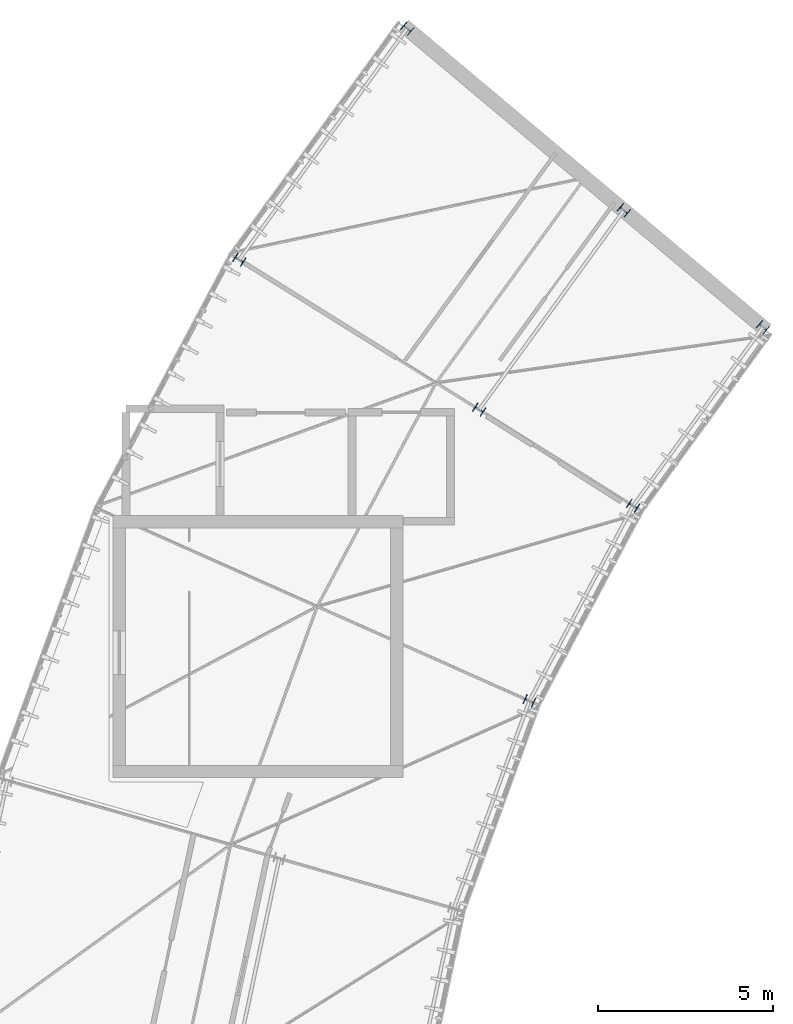
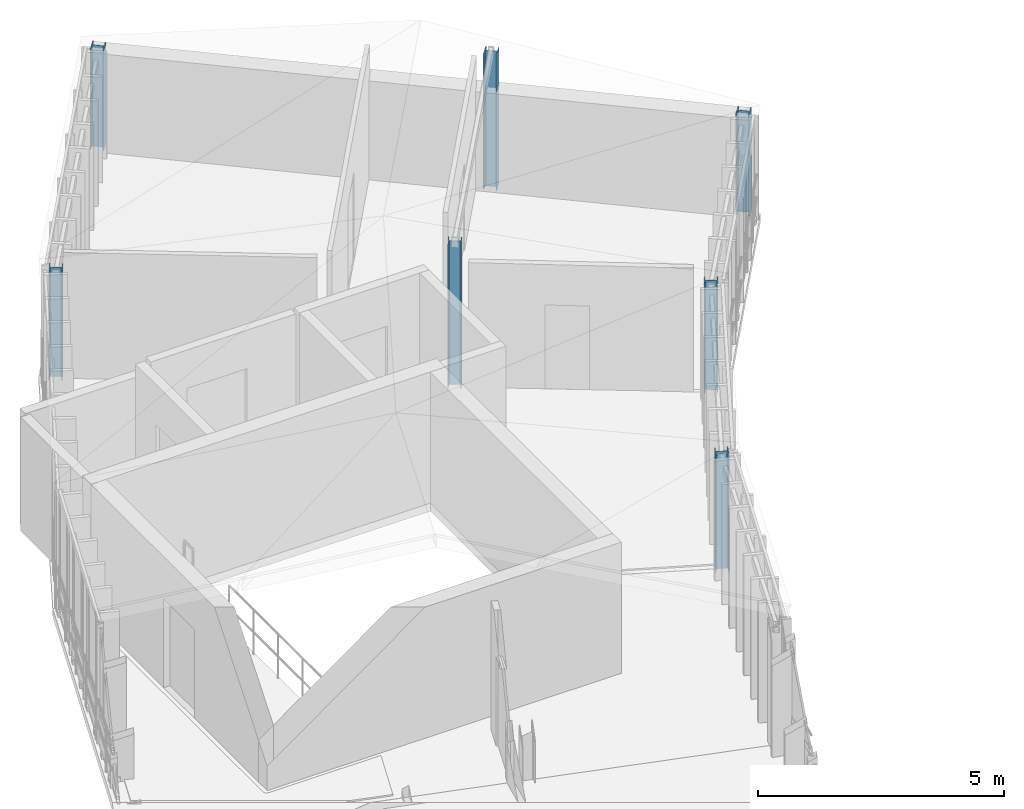
# One storey, part 2 of 18: 7 columns.
"""IFC4 building model written with IfcOpenShell, lengths in metres."""

from ifc_helpers import new_model, si_unit, direction, frame, origin, origin_2d, place, context, subcontext, project, spatial, i_section, extrude, material, material_profile, profile_set, type_object, element, save


model = new_model("IFC4")

# Units and contexts
model_context = context("Model", 3, precision=1e-05, world=origin(), true_north=direction((0.0, 1.0)))
body_context = subcontext(model_context, "Body", "Model", "MODEL_VIEW")
ifc_project = project(units=[si_unit("LENGTHUNIT", "METRE"), si_unit("AREAUNIT", "SQUARE_METRE"), si_unit("VOLUMEUNIT", "CUBIC_METRE"), si_unit("PLANEANGLEUNIT", "RADIAN"), si_unit("MASSUNIT", "GRAM", prefix="KILO"), si_unit("THERMODYNAMICTEMPERATUREUNIT", "KELVIN"), si_unit("POWERUNIT", "WATT")], contexts=[model_context])

# Site, building, storey
site_placement = place(None, origin())
site = spatial("IfcSite", under=ifc_project, at=site_placement, CompositionType="ELEMENT")
building_placement = place(site_placement, origin())
building = spatial("IfcBuilding", under=site, at=building_placement, Name="Solvatero Civic Police Headquarters", CompositionType="ELEMENT")
storey_placement = place(building_placement, frame((0.0, 0.0, 29.39990234375)))
storey = spatial("IfcBuildingStorey", under=building, at=storey_placement, Name="L07", CompositionType="ELEMENT", Elevation=29.39990234375)

# Columns
ifc_material = material(Name="Steel S355", Category="steel")
ifc_material_profile = material_profile(ifc_material, i_section(OverallWidth=0.280029296875, OverallDepth=0.280029296875, WebThickness=0.010498046875, FlangeThickness=0.01806640625, FilletRadius=0.02392578125, at=origin_2d()), Name="HEB 280")
ifc_profile_set = profile_set([ifc_material_profile], Name="Steel S355")
column_type = type_object("IfcColumnType", Name="COL-ST-HEB280", PredefinedType="COLUMN", material=ifc_profile_set)
column_1_placement = place(storey_placement, frame((59.260009765625, 55.150390625, 0.0), z_axis=(0.0, 0.0, 1.0), x_axis=(0.642787609687, 0.766044443119, 0.0)))
element("IfcColumn", 1, at=column_1_placement, inside=storey, type_object=column_type, Name="Column ARC-S07-IN L07", PredefinedType="COLUMN", context=body_context, shape_type="SweptSolid", body=[
    extrude(i_section(OverallWidth=0.280029296875, OverallDepth=0.280029296875, WebThickness=0.010498046875, FlangeThickness=0.01806640625, FilletRadius=0.02392578125, at=origin_2d()), origin(), (0.0, 0.0, 1.0), 2.507568359375),
])
column_2_placement = place(storey_placement, frame((55.276611328125, 58.492919921875, 0.0), z_axis=(0.0, 0.0, 1.0), x_axis=(0.642787609687, 0.766044443119, 0.0)))
element("IfcColumn", 2, at=column_2_placement, inside=storey, type_object=column_type, Name="Column ARC-S07-MID L07", PredefinedType="COLUMN", context=body_context, shape_type="SweptSolid", body=[
    extrude(i_section(OverallWidth=0.280029296875, OverallDepth=0.280029296875, WebThickness=0.010498046875, FlangeThickness=0.01806640625, FilletRadius=0.02392578125, at=origin_2d()), origin(), (0.0, 0.0, 1.0), 3.36181640625),
])
column_3_placement = place(storey_placement, frame((49.071533203125, 63.699462890625, 0.0), z_axis=(0.0, 0.0, 1.0), x_axis=(0.642787609687, 0.766044443119, 0.0)))
element("IfcColumn", 3, at=column_3_placement, inside=storey, type_object=column_type, Name="Column ARC-S07-OUT L07", PredefinedType="COLUMN", context=body_context, shape_type="SweptSolid", body=[
    extrude(i_section(OverallWidth=0.280029296875, OverallDepth=0.280029296875, WebThickness=0.010498046875, FlangeThickness=0.01806640625, FilletRadius=0.02392578125, at=origin_2d()), origin(), (0.0, 0.0, 1.0), 2.507568359375),
])
column_4_placement = place(storey_placement, frame((55.541015625, 50.03173828125, 0.0), z_axis=(0.0, 0.0, 1.0), x_axis=(0.529919264233, 0.848048096156, 0.0)))
element("IfcColumn", 4, at=column_4_placement, inside=storey, type_object=column_type, Name="Column ARC-S08-IN L07", PredefinedType="COLUMN", context=body_context, shape_type="SweptSolid", body=[
    extrude(i_section(OverallWidth=0.280029296875, OverallDepth=0.280029296875, WebThickness=0.010498046875, FlangeThickness=0.01806640625, FilletRadius=0.02392578125, at=origin_2d()), origin(), (0.0, 0.0, 1.0), 2.70751953125),
])
column_5_placement = place(storey_placement, frame((51.131103515625, 52.787353515625, 0.0), z_axis=(0.0, 0.0, 1.0), x_axis=(0.529919264233, 0.848048096156, 0.0)))
element("IfcColumn", 5, at=column_5_placement, inside=storey, type_object=column_type, Name="Column ARC-S08-MID L07", PredefinedType="COLUMN", context=body_context, shape_type="SweptSolid", body=[
    extrude(i_section(OverallWidth=0.280029296875, OverallDepth=0.280029296875, WebThickness=0.010498046875, FlangeThickness=0.01806640625, FilletRadius=0.02392578125, at=origin_2d()), origin(), (0.0, 0.0, 1.0), 3.56201171875),
])
column_6_placement = place(storey_placement, frame((44.261962890625, 57.079833984375, 0.0), z_axis=(0.0, 0.0, 1.0), x_axis=(0.529919264233, 0.848048096156, 0.0)))
element("IfcColumn", 6, at=column_6_placement, inside=storey, type_object=column_type, Name="Column ARC-S08-OUT L07", PredefinedType="COLUMN", context=body_context, shape_type="SweptSolid", body=[
    extrude(i_section(OverallWidth=0.280029296875, OverallDepth=0.280029296875, WebThickness=0.010498046875, FlangeThickness=0.01806640625, FilletRadius=0.02392578125, at=origin_2d()), origin(), (0.0, 0.0, 1.0), 2.70751953125),
])
column_7_placement = place(storey_placement, frame((52.57080078125, 44.445556640625, 0.0), z_axis=(0.0, 0.0, 1.0), x_axis=(0.406736643076, 0.913545457643, 0.0)))
element("IfcColumn", 7, at=column_7_placement, inside=storey, type_object=column_type, Name="Column ARC-S09-IN L07", PredefinedType="COLUMN", context=body_context, shape_type="SweptSolid", body=[
    extrude(i_section(OverallWidth=0.280029296875, OverallDepth=0.280029296875, WebThickness=0.010498046875, FlangeThickness=0.01806640625, FilletRadius=0.02392578125, at=origin_2d()), origin(), (0.0, 0.0, 1.0), 2.90771484375),
])

save(model, "model.ifc")
